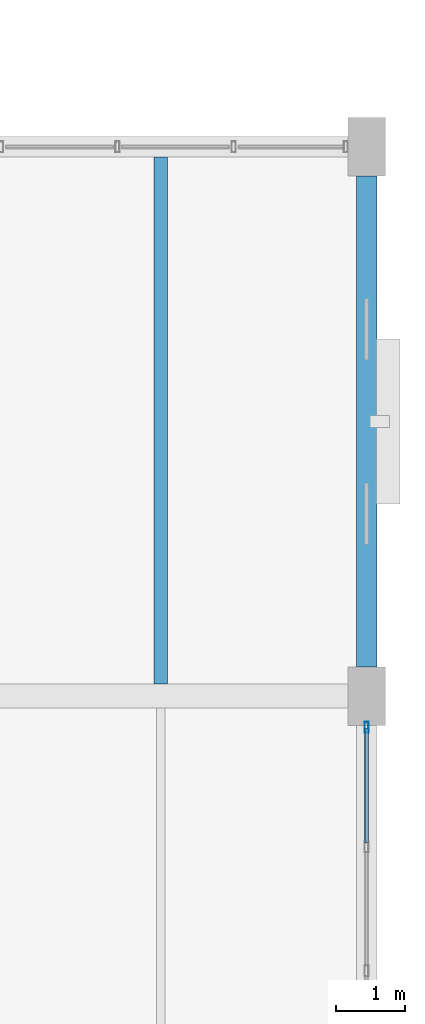
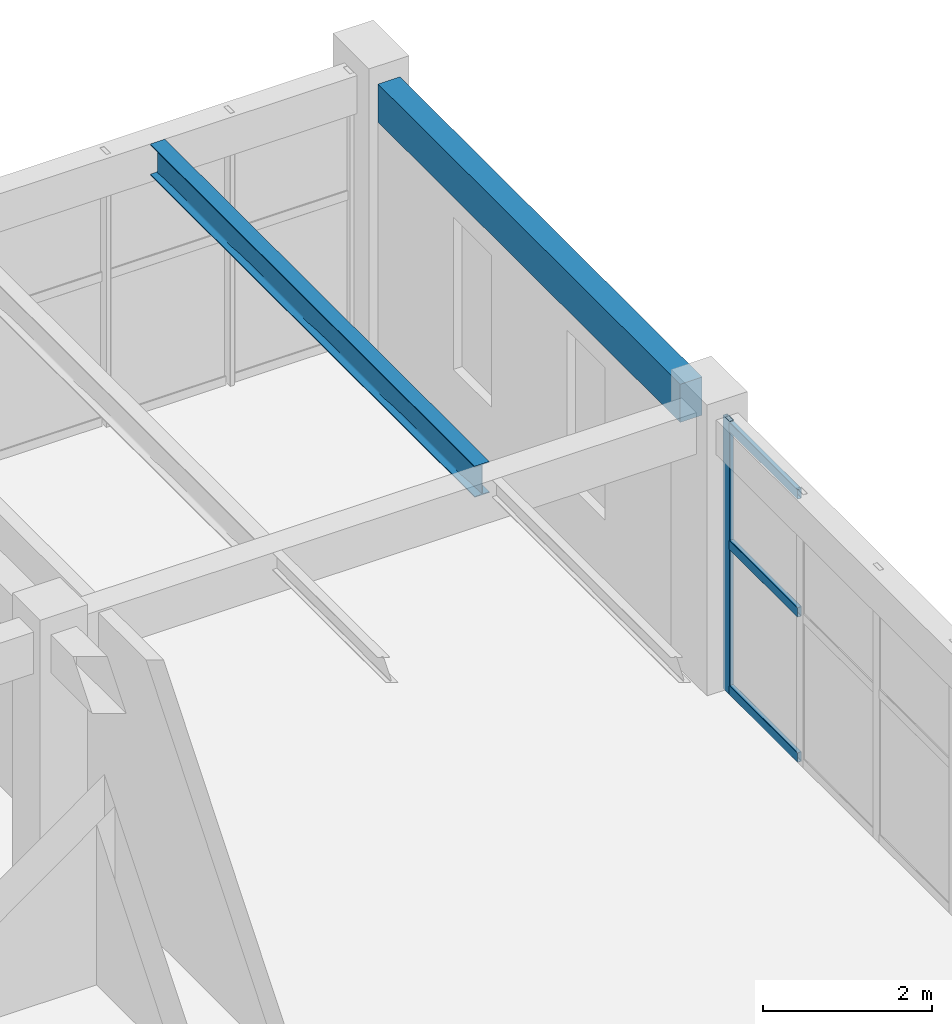
# One storey, part 49 of 71: 4 members, 2 beams, 1 element without a shape of its own.
"""IFC4 building model written with IfcOpenShell, lengths in metres."""

from ifc_helpers import new_model, si_unit, derived_unit, direction, frame, origin, origin_2d, place, context, subcontext, project, spatial, rectangle, hollow_rectangle, i_section, extrude, material, material_profile, profile_set, type_object, element, aggregate, save


model = new_model("IFC4")

# Units and contexts
model_context = context("Model", 3, precision=1e-05, world=origin(), true_north=direction((0.0, 1.0)))
body_context = subcontext(model_context, "Body", "Model", "MODEL_VIEW")
ifc_project = project(units=[si_unit("LENGTHUNIT", "METRE"), si_unit("AREAUNIT", "SQUARE_METRE"), si_unit("VOLUMEUNIT", "CUBIC_METRE"), si_unit("PLANEANGLEUNIT", "RADIAN"), si_unit("MASSUNIT", "GRAM", prefix="KILO"), derived_unit("THERMALTRANSMITTANCEUNIT", [(si_unit("MASSUNIT", "GRAM", prefix="KILO"), 1), (si_unit("TIMEUNIT", "SECOND"), -3), (si_unit("THERMODYNAMICTEMPERATUREUNIT", "KELVIN"), -1)])], contexts=[model_context])

# Site, building, storey
site_placement = place(None, origin())
site = spatial("IfcSite", under=ifc_project, at=site_placement, CompositionType="ELEMENT")
building_placement = place(site_placement, origin())
building = spatial("IfcBuilding", under=site, at=building_placement, Name="Zhenchuan Archway Interchange", CompositionType="ELEMENT")
storey_placement = place(building_placement, frame((0.0, 0.0, 18.60009765625)))
storey = spatial("IfcBuildingStorey", under=building, at=storey_placement, Name="L04", CompositionType="ELEMENT", Elevation=18.60009765625)

# Curtain wall, members
ifc_material_1 = material(Name="Anodised Aluminium", Category="aluminium")
curtain_wall_type = type_object("IfcCurtainWallType", Name="CW_UNIT_4", PredefinedType="NOTDEFINED", material=ifc_material_1)
curtain_wall_placement = place(storey_placement, origin())
curtain_wall = element("IfcCurtainWall", 1, at=curtain_wall_placement, inside=storey, type_object=curtain_wall_type, Name="Unitised curtain wall CW:L04:195", PredefinedType="NOTDEFINED")
ifc_material_profile_1 = material_profile(ifc_material_1, hollow_rectangle(XDim=0.06005859375, YDim=0.159912109375, WallThickness=0.00390625, InnerFilletRadius=0.00390625, OuterFilletRadius=0.008056640625, at=origin_2d()), Name="ALU 160x60x4")
ifc_profile_set_1 = profile_set([ifc_material_profile_1], Name="Anodised Aluminium")
member_type_1 = type_object("IfcMemberType", Name="CW_MUL_150", PredefinedType="MULLION", material=ifc_profile_set_1)
member_1_placement = place(storey_placement, frame((171.0, 95.547119140625, 0.0), z_axis=(0.0, 0.0, 1.0), x_axis=(1.0, 0.0, 0.0)))
member_1 = element("IfcMember", 2, at=member_1_placement, type_object=member_type_1, Name="CW:L04:195 mullion 0", PredefinedType="MULLION", context=body_context, shape_type="SweptSolid", body=[
    extrude(hollow_rectangle(XDim=0.06005859375, YDim=0.159912109375, WallThickness=0.00390625, InnerFilletRadius=0.00390625, OuterFilletRadius=0.008056640625, at=origin_2d()), origin(), (0.0, 0.0, 1.0), 3.93994140625),
])
ifc_material_profile_2 = material_profile(ifc_material_1, hollow_rectangle(XDim=0.06005859375, YDim=0.139892578125, WallThickness=0.00341796875, InnerFilletRadius=0.00341796875, OuterFilletRadius=0.007080078125, at=origin_2d()), Name="ALU 140x60x3.5")
ifc_profile_set_2 = profile_set([ifc_material_profile_2], Name="Anodised Aluminium")
member_type_2 = type_object("IfcMemberType", Name="CW_TRN_140", PredefinedType="USERDEFINED", material=ifc_profile_set_2)
member_2_placement = place(storey_placement, frame((171.0, 95.527099609375, 0.059814453125), z_axis=(0.0, -1.0, 0.0), x_axis=(1.0, 0.0, 0.0)))
member_2 = element("IfcMember", 3, at=member_2_placement, type_object=member_type_2, Name="CW:L04:195 transom 0-1", ObjectType="TRANSOM", PredefinedType="USERDEFINED", context=body_context, shape_type="SweptSolid", body=[
    extrude(hollow_rectangle(XDim=0.06005859375, YDim=0.139892578125, WallThickness=0.00341796875, InnerFilletRadius=0.00341796875, OuterFilletRadius=0.007080078125, at=origin_2d()), origin(), (0.0, 0.0, 1.0), 1.66357421875),
])
member_3_placement = place(storey_placement, frame((171.0, 95.527099609375, 2.156005859375), z_axis=(0.0, -1.0, 0.0), x_axis=(1.0, 0.0, 0.0)))
member_3 = element("IfcMember", 4, at=member_3_placement, type_object=member_type_2, Name="CW:L04:195 transom 0-2", ObjectType="TRANSOM", PredefinedType="USERDEFINED", context=body_context, shape_type="SweptSolid", body=[
    extrude(hollow_rectangle(XDim=0.06005859375, YDim=0.139892578125, WallThickness=0.00341796875, InnerFilletRadius=0.00341796875, OuterFilletRadius=0.007080078125, at=origin_2d()), origin(), (0.0, 0.0, 1.0), 1.66357421875),
])
member_4_placement = place(storey_placement, frame((171.0, 95.527099609375, 3.85986328125), z_axis=(0.0, -1.0, 0.0), x_axis=(1.0, 0.0, 0.0)))
member_4 = element("IfcMember", 5, at=member_4_placement, type_object=member_type_2, Name="CW:L04:195 transom 0-3", ObjectType="TRANSOM", PredefinedType="USERDEFINED", context=body_context, shape_type="SweptSolid", body=[
    extrude(hollow_rectangle(XDim=0.06005859375, YDim=0.139892578125, WallThickness=0.00341796875, InnerFilletRadius=0.00341796875, OuterFilletRadius=0.007080078125, at=origin_2d()), origin(), (0.0, 0.0, 1.0), 1.66357421875),
])
aggregate(curtain_wall, [member_1, member_2, member_3, member_4])

# Beams
ifc_material_2 = material(Name="Steel Q355", Category="steel")
ifc_material_profile_3 = material_profile(ifc_material_2, i_section(OverallWidth=0.199951171875, OverallDepth=0.449951171875, WebThickness=0.009033203125, FlangeThickness=0.013916015625, FilletRadius=0.01806640625, at=origin_2d()), Name="HN 450x200")
ifc_profile_set_3 = profile_set([ifc_material_profile_3], Name="Steel Q355")
beam_type_1 = type_object("IfcBeamType", Name="JST_STL_HN450", PredefinedType="JOIST", material=ifc_profile_set_3)
beam_1_placement = place(storey_placement, frame((168.0, 96.175048828125, 3.71484375), z_axis=(0.0, 1.0, 0.0), x_axis=(-1.0, 0.0, 0.0)))
element("IfcBeam", 6, at=beam_1_placement, inside=storey, type_object=beam_type_1, Name="Secondary joist 19-20/N-O #2 (L04)", PredefinedType="JOIST", context=body_context, shape_type="SweptSolid", body=[
    extrude(i_section(OverallWidth=0.199951171875, OverallDepth=0.449951171875, WebThickness=0.009033203125, FlangeThickness=0.013916015625, FilletRadius=0.01806640625, at=origin_2d()), origin(), (0.0, 0.0, 1.0), 7.675048828125),
])
ifc_material_3 = material(Name="Concrete C40", Category="concrete")
ifc_material_profile_4 = material_profile(ifc_material_3, rectangle(XDim=0.300048828125, YDim=0.550048828125, at=origin_2d()), Name="RC 300x550")
ifc_profile_set_4 = profile_set([ifc_material_profile_4], Name="Concrete C40")
beam_type_2 = type_object("IfcBeamType", Name="SP_RC_300x550", PredefinedType="SPANDREL", material=ifc_profile_set_4)
beam_2_placement = place(storey_placement, frame((171.0, 96.425048828125, 3.664794921875), z_axis=(0.0, 1.0, 0.0), x_axis=(-1.0, 0.0, 0.0)))
element("IfcBeam", 7, at=beam_2_placement, inside=storey, type_object=beam_type_2, Name="Beam 20:N-O (L04)", PredefinedType="SPANDREL", context=body_context, shape_type="SweptSolid", body=[
    extrude(rectangle(XDim=0.300048828125, YDim=0.550048828125, at=origin_2d()), origin(), (0.0, 0.0, 1.0), 7.14990234375),
])

save(model, "model.ifc")
